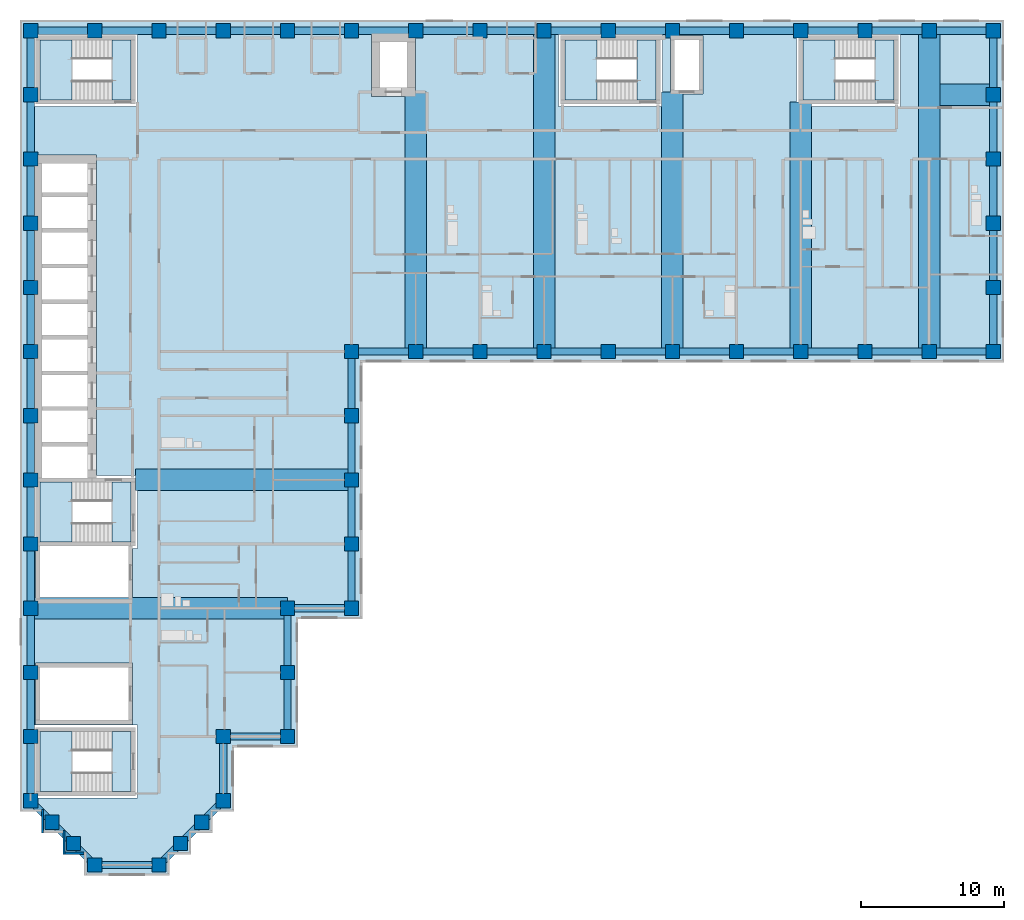
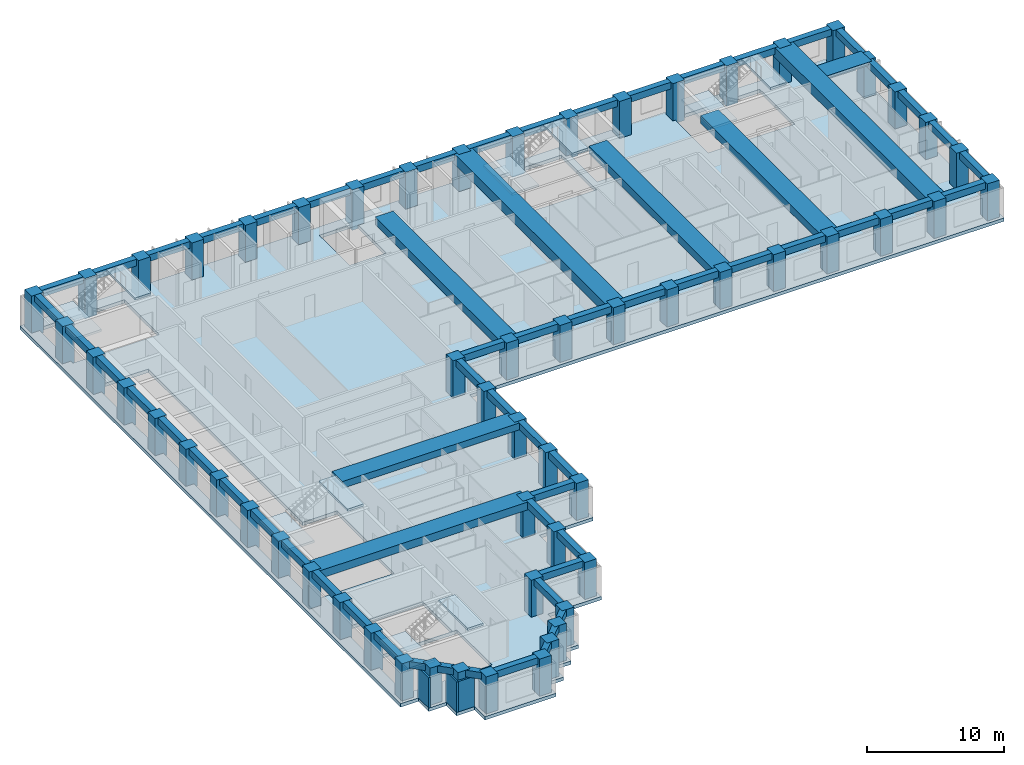
# One storey, part 1 of 12: 66 beams, 58 columns, 11 slabs, 3 walls, 5 elements without a shape of their own.
"""IFC4 building model written with IfcOpenShell, lengths in metres."""

from ifc_helpers import new_model, si_unit, direction, frame, frame_2d, origin, origin_2d, place, context, subcontext, project, spatial, polyline, rectangle, outline, extrude, material, layer, layer_set, material_profile, profile_set, type_object, element, aggregate, save


model = new_model("IFC4")

# Units and contexts
model_context = context("Model", 3, precision=1e-05, world=origin(), true_north=direction((0.0, 1.0)))
body_context = subcontext(model_context, "Body", "Model", "MODEL_VIEW")
ifc_project = project(units=[si_unit("LENGTHUNIT", "METRE"), si_unit("AREAUNIT", "SQUARE_METRE"), si_unit("VOLUMEUNIT", "CUBIC_METRE"), si_unit("PLANEANGLEUNIT", "RADIAN"), si_unit("MASSUNIT", "GRAM", prefix="KILO")], contexts=[model_context])

# Site, building, storey
site_placement = place(None, origin())
site = spatial("IfcSite", under=ifc_project, at=site_placement, CompositionType="ELEMENT")
building_placement = place(site_placement, origin())
building = spatial("IfcBuilding", under=site, at=building_placement, Name="Firuza Court", CompositionType="ELEMENT")
storey_placement = place(building_placement, frame((0.0, 0.0, 123.199951171875)))
storey = spatial("IfcBuildingStorey", under=building, at=storey_placement, Name="L30", CompositionType="ELEMENT", Elevation=123.199951171875)

# Columns
ifc_material_1 = material(Name="Concrete C60/75", Category="concrete")
ifc_material_profile_1 = material_profile(ifc_material_1, rectangle(XDim=1.0, YDim=1.0, at=origin_2d()), Name="RC 1000x1000")
ifc_profile_set_1 = profile_set([ifc_material_profile_1], Name="Concrete C60/75")
column_type = type_object("IfcColumnType", Name="Tube column RC 1000x1000 C60/75", PredefinedType="COLUMN", material=ifc_profile_set_1)
for number, where, z_axis, x_axis, name in (
    (1, (4.5, 0.0, -0.300048828125), (0.0, 0.0, 1.0), (1.0, 0.0, 0.0), "Column C-2D L30"),
    (2, (9.0, 0.0, -0.300048828125), (0.0, 0.0, 1.0), (1.0, 0.0, 0.0), "Column C-3D L30"),
    (3, (3.0, 1.5, -0.300048828125), (0.0, 0.0, 1.0), (1.0, 0.0, 0.0), "Column C-SA1 L30"),
    (4, (10.5, 1.5, -0.300048828125), (0.0, 0.0, 1.0), (1.0, 0.0, 0.0), "Column C-SA2 L30"),
    (5, (1.5, 3.0, -0.300048828125), (0.0, 0.0, 1.0), (1.0, 0.0, 0.0), "Column C-SA3 L30"),
    (6, (12.0, 3.0, -0.300048828125), (0.0, 0.0, 1.0), (1.0, 0.0, 0.0), "Column C-SA4 L30"),
    (7, (0.0, 4.5, -0.300048828125), (0.0, 0.0, 1.0), (1.0, 0.0, 0.0), "Column C-1E L30"),
    (8, (13.5, 4.5, -0.300048828125), (0.0, 0.0, 1.0), (1.0, 0.0, 0.0), "Column C-4E L30"),
    (9, (0.0, 9.0, -0.300048828125), (0.0, 0.0, 1.0), (1.0, 0.0, 0.0), "Column C-1F L30"),
    (10, (13.5, 9.0, -0.300048828125), (0.0, 0.0, 1.0), (1.0, 0.0, 0.0), "Column C-4F L30"),
    (11, (18.0, 9.0, -0.300048828125), (0.0, 0.0, 1.0), (1.0, 0.0, 0.0), "Column C-5F L30"),
    (12, (0.0, 13.5, -0.300048828125), (0.0, 0.0, 1.0), (1.0, 0.0, 0.0), "Column C-1G L30"),
    (13, (18.0, 13.5, -0.300048828125), (0.0, 0.0, 1.0), (1.0, 0.0, 0.0), "Column C-5G L30"),
    (14, (0.0, 18.0, -0.300048828125), (0.0, 0.0, 1.0), (1.0, 0.0, 0.0), "Column C-1H L30"),
    (15, (18.0, 18.0, -0.300048828125), (0.0, 0.0, 1.0), (1.0, 0.0, 0.0), "Column C-5H L30"),
    (16, (22.5, 18.0, -0.300048828125), (0.0, 0.0, 1.0), (1.0, 0.0, 0.0), "Column C-6H L30"),
    (17, (0.0, 22.5, -0.300048828125), (0.0, 0.0, 1.0), (1.0, 0.0, 0.0), "Column C-1J L30"),
    (18, (22.5, 22.5, -0.300048828125), (0.0, 0.0, 1.0), (1.0, 0.0, 0.0), "Column C-6J L30"),
    (19, (0.0, 27.0, -0.300048828125), (0.0, 0.0, 1.0), (1.0, 0.0, 0.0), "Column C-1K L30"),
    (20, (22.5, 27.0, -0.300048828125), (0.0, 0.0, 1.0), (1.0, 0.0, 0.0), "Column C-6K L30"),
    (21, (0.0, 31.5, -0.300048828125), (0.0, 0.0, 1.0), (1.0, 0.0, 0.0), "Column C-1L L30"),
    (22, (22.5, 31.5, -0.300048828125), (0.0, 0.0, 1.0), (1.0, 0.0, 0.0), "Column C-6L L30"),
    (23, (0.0, 36.0, -0.300048828125), (0.0, 0.0, 1.0), (1.0, 0.0, 0.0), "Column C-1M L30"),
    (24, (22.5, 36.0, -0.300048828125), (0.0, 0.0, 1.0), (1.0, 0.0, 0.0), "Column C-6M L30"),
    (25, (27.0, 36.0, -0.300048828125), (0.0, 0.0, 1.0), (1.0, 0.0, 0.0), "Column C-7M L30"),
    (26, (31.5, 36.0, -0.300048828125), (0.0, 0.0, 1.0), (1.0, 0.0, 0.0), "Column C-8M L30"),
    (27, (36.0, 36.0, -0.300048828125), (0.0, 0.0, 1.0), (1.0, 0.0, 0.0), "Column C-9M L30"),
    (28, (40.5, 36.0, -0.300048828125), (0.0, 0.0, 1.0), (1.0, 0.0, 0.0), "Column C-10M L30"),
    (29, (45.0, 36.0, -0.300048828125), (0.0, 0.0, 1.0), (1.0, 0.0, 0.0), "Column C-11M L30"),
    (30, (49.5, 36.0, -0.300048828125), (0.0, 0.0, 1.0), (1.0, 0.0, 0.0), "Column C-12M L30"),
    (31, (54.0, 36.0, -0.300048828125), (0.0, 0.0, 1.0), (1.0, 0.0, 0.0), "Column C-13M L30"),
    (32, (58.5, 36.0, -0.300048828125), (0.0, 0.0, 1.0), (1.0, 0.0, 0.0), "Column C-14M L30"),
    (33, (63.0, 36.0, -0.300048828125), (0.0, 0.0, 1.0), (1.0, 0.0, 0.0), "Column C-15M L30"),
    (34, (67.5, 36.0, -0.300048828125), (0.0, 0.0, 1.0), (1.0, 0.0, 0.0), "Column C-16M L30"),
    (35, (0.0, 40.5, -0.300048828125), (0.0, 0.0, 1.0), (1.0, 0.0, 0.0), "Column C-1N L30"),
    (36, (67.5, 40.5, -0.300048828125), (0.0, 0.0, 1.0), (1.0, 0.0, 0.0), "Column C-16N L30"),
    (37, (0.0, 45.0, -0.300048828125), (0.0, 0.0, 1.0), (1.0, 0.0, 0.0), "Column C-1P L30"),
    (38, (67.5, 45.0, -0.300048828125), (0.0, 0.0, 1.0), (1.0, 0.0, 0.0), "Column C-16P L30"),
    (39, (0.0, 49.5, -0.300048828125), (0.0, 0.0, 1.0), (1.0, 0.0, 0.0), "Column C-1Q L30"),
    (40, (67.5, 49.5, -0.300048828125), (0.0, 0.0, 1.0), (1.0, 0.0, 0.0), "Column C-16Q L30"),
    (41, (0.0, 54.0, -0.300048828125), (0.0, 0.0, 1.0), (1.0, 0.0, 0.0), "Column C-1R L30"),
    (42, (67.5, 54.0, -0.300048828125), (0.0, 0.0, 1.0), (1.0, 0.0, 0.0), "Column C-16R L30"),
    (43, (0.0, 58.5, -0.300048828125), (0.0, 0.0, 1.0), (1.0, 0.0, 0.0), "Column C-1S L30"),
    (44, (4.5, 58.5, -0.300048828125), (0.0, 0.0, 1.0), (1.0, 0.0, 0.0), "Column C-2S L30"),
    (45, (9.0, 58.5, -0.300048828125), (0.0, 0.0, 1.0), (1.0, 0.0, 0.0), "Column C-3S L30"),
    (46, (13.5, 58.5, -0.300048828125), (0.0, 0.0, 1.0), (1.0, 0.0, 0.0), "Column C-4S L30"),
    (47, (18.0, 58.5, -0.300048828125), (0.0, 0.0, 1.0), (1.0, 0.0, 0.0), "Column C-5S L30"),
    (48, (22.5, 58.5, -0.300048828125), (0.0, 0.0, 1.0), (1.0, 0.0, 0.0), "Column C-6S L30"),
    (49, (27.0, 58.5, -0.300048828125), (0.0, 0.0, 1.0), (1.0, 0.0, 0.0), "Column C-7S L30"),
    (50, (31.5, 58.5, -0.300048828125), (0.0, 0.0, 1.0), (1.0, 0.0, 0.0), "Column C-8S L30"),
    (51, (36.0, 58.5, -0.300048828125), (0.0, 0.0, 1.0), (1.0, 0.0, 0.0), "Column C-9S L30"),
    (52, (40.5, 58.5, -0.300048828125), (0.0, 0.0, 1.0), (1.0, 0.0, 0.0), "Column C-10S L30"),
    (53, (45.0, 58.5, -0.300048828125), (0.0, 0.0, 1.0), (1.0, 0.0, 0.0), "Column C-11S L30"),
    (54, (49.5, 58.5, -0.300048828125), (0.0, 0.0, 1.0), (1.0, 0.0, 0.0), "Column C-12S L30"),
    (55, (54.0, 58.5, -0.300048828125), (0.0, 0.0, 1.0), (1.0, 0.0, 0.0), "Column C-13S L30"),
    (56, (58.5, 58.5, -0.300048828125), (0.0, 0.0, 1.0), (1.0, 0.0, 0.0), "Column C-14S L30"),
    (57, (63.0, 58.5, -0.300048828125), (0.0, 0.0, 1.0), (1.0, 0.0, 0.0), "Column C-15S L30"),
    (58, (67.5, 58.5, -0.300048828125), (0.0, 0.0, 1.0), (1.0, 0.0, 0.0), "Column C-16S L30"),
):
    element("IfcColumn", number, at=place(storey_placement, frame(where, z_axis=z_axis, x_axis=x_axis)), inside=storey, type_object=column_type, Name=name, PredefinedType="COLUMN", context=body_context, shape_type="SweptSolid", body=[
        extrude(rectangle(XDim=1.0, YDim=1.0, at=origin_2d()), origin(), (0.0, 0.0, 1.0), 3.60009765625),
    ])

# Beams
ifc_material_2 = material(Name="Concrete C40/50", Category="concrete")
ifc_material_profile_2 = material_profile(ifc_material_2, rectangle(XDim=1.5, YDim=0.300048828125, at=origin_2d()), Name="RC 1500x300")
ifc_profile_set_2 = profile_set([ifc_material_profile_2], Name="Concrete C40/50")
beam_type_1 = type_object("IfcBeamType", Name="Band beam RC 1500x300 C40/50", PredefinedType="BEAM", material=ifc_profile_set_2)
beam_1_placement = place(storey_placement, frame((67.5, 54.0, 3.150146484375), z_axis=(-1.0, 0.0, 0.0), x_axis=(0.0, -1.0, 0.0)))
element("IfcBeam", 59, at=beam_1_placement, inside=storey, type_object=beam_type_1, Name="Band beam FB6 level L31", PredefinedType="BEAM", context=body_context, shape_type="SweptSolid", body=[
    extrude(rectangle(XDim=1.5, YDim=0.300048828125, at=origin_2d()), origin(), (0.0, 0.0, 1.0), 3.75),
])
ifc_material_3 = material(Name="Concrete C40/50", Category="concrete")
ifc_material_profile_3 = material_profile(ifc_material_3, rectangle(XDim=1.5, YDim=0.60009765625, at=origin_2d()), Name="RC 1500x600")
ifc_profile_set_3 = profile_set([ifc_material_profile_3], Name="Concrete C40/50")
beam_type_2 = type_object("IfcBeamType", Name="Band beam RC 1500x600 C40/50", PredefinedType="BEAM", material=ifc_profile_set_3)
beam_2_placement = place(storey_placement, frame((22.5, 27.0, 3.0), z_axis=(-1.0, 0.0, 0.0), x_axis=(0.0, -1.0, 0.0)))
element("IfcBeam", 60, at=beam_2_placement, inside=storey, type_object=beam_type_2, Name="Band beam FB3 level L31", PredefinedType="BEAM", context=body_context, shape_type="SweptSolid", body=[
    extrude(rectangle(XDim=1.5, YDim=0.60009765625, at=origin_2d()), origin(), (0.0, 0.0, 1.0), 15.14990234375),
])
ifc_material_4 = material(Name="Concrete C40/50", Category="concrete")
ifc_material_profile_4 = material_profile(ifc_material_4, rectangle(XDim=1.5, YDim=0.699951171875, at=origin_2d()), Name="RC 1500x700")
ifc_profile_set_4 = profile_set([ifc_material_profile_4], Name="Concrete C40/50")
beam_type_3 = type_object("IfcBeamType", Name="Band beam RC 1500x700 C40/50", PredefinedType="BEAM", material=ifc_profile_set_4)
beam_3_placement = place(storey_placement, frame((0.0, 18.0, 2.949951171875), z_axis=(1.0, 0.0, 0.0), x_axis=(0.0, 1.0, 0.0)))
element("IfcBeam", 61, at=beam_3_placement, inside=storey, type_object=beam_type_3, Name="Band beam FB1 level L31", PredefinedType="BEAM", context=body_context, shape_type="SweptSolid", body=[
    extrude(rectangle(XDim=1.5, YDim=0.699951171875, at=origin_2d()), origin(), (0.0, 0.0, 1.0), 18.0),
])
for number, where, z_axis, x_axis, name in (
    (62, (27.0, 36.0, 2.949951171875), (0.0, 1.0, 0.0), (-1.0, 0.0, 0.0), "Band beam FB1 level L31"),
    (63, (45.0, 36.0, 2.949951171875), (0.0, 1.0, 0.0), (-1.0, 0.0, 0.0), "Band beam FB1 level L31"),
):
    element("IfcBeam", number, at=place(storey_placement, frame(where, z_axis=z_axis, x_axis=x_axis)), inside=storey, type_object=beam_type_3, Name=name, PredefinedType="BEAM", context=body_context, shape_type="SweptSolid", body=[
        extrude(rectangle(XDim=1.5, YDim=0.699951171875, at=origin_2d()), origin(), (0.0, 0.0, 1.0), 18.199951171875),
    ])
beam_4_placement = place(storey_placement, frame((54.0, 36.0, 2.949951171875), z_axis=(0.0, 1.0, 0.0), x_axis=(-1.0, 0.0, 0.0)))
element("IfcBeam", 64, at=beam_4_placement, inside=storey, type_object=beam_type_3, Name="Band beam FB1 level L31", PredefinedType="BEAM", context=body_context, shape_type="SweptSolid", body=[
    extrude(rectangle(XDim=1.5, YDim=0.699951171875, at=origin_2d()), origin(), (0.0, 0.0, 1.0), 17.5),
])
ifc_material_5 = material(Name="Concrete C40/50", Category="concrete")
ifc_material_profile_5 = material_profile(ifc_material_5, rectangle(XDim=1.5, YDim=0.89990234375, at=origin_2d()), Name="RC 1500x900")
ifc_profile_set_5 = profile_set([ifc_material_profile_5], Name="Concrete C40/50")
beam_type_4 = type_object("IfcBeamType", Name="Band beam RC 1500x900 C40/50", PredefinedType="BEAM", material=ifc_profile_set_5)
for number, where, z_axis, x_axis, name in (
    (65, (36.0, 36.0, 2.85009765625), (0.0, 1.0, 0.0), (-1.0, 0.0, 0.0), "Band beam FB2 level L31"),
    (66, (63.0, 36.0, 2.85009765625), (0.0, 1.0, 0.0), (-1.0, 0.0, 0.0), "Band beam FB2 level L31"),
):
    element("IfcBeam", number, at=place(storey_placement, frame(where, z_axis=z_axis, x_axis=x_axis)), inside=storey, type_object=beam_type_4, Name=name, PredefinedType="BEAM", context=body_context, shape_type="SweptSolid", body=[
        extrude(rectangle(XDim=1.5, YDim=0.89990234375, at=origin_2d()), origin(), (0.0, 0.0, 1.0), 22.5),
    ])
ifc_material_6 = material(Name="Concrete C40/50", Category="concrete")
ifc_material_profile_6 = material_profile(ifc_material_6, rectangle(XDim=0.5, YDim=0.60009765625, at=origin_2d()), Name="RC 500x600")
ifc_profile_set_6 = profile_set([ifc_material_profile_6], Name="Concrete C40/50")
beam_type_5 = type_object("IfcBeamType", Name="Spandrel beam RC 500x600 C40/50", PredefinedType="BEAM", material=ifc_profile_set_6)
beam_5_placement = place(storey_placement, frame((0.0, 4.5, 3.0), z_axis=(0.707106781187, -0.707106781187, 0.0), x_axis=(0.707106781187, 0.707106781187, 0.0)))
element("IfcBeam", 67, at=beam_5_placement, inside=storey, type_object=beam_type_5, Name="Spandrel beam SP13 level L31", PredefinedType="BEAM", context=body_context, shape_type="SweptSolid", body=[
    extrude(rectangle(XDim=0.5, YDim=0.60009765625, at=origin_2d()), origin(), (0.0, 0.0, 1.0), 2.121337890625),
])
for number, where, z_axis, x_axis, name in (
    (68, (0.0, 9.0, 3.0), (0.0, -1.0, 0.0), (1.0, 0.0, 0.0), "Spandrel beam SP13 level L31"),
    (69, (0.0, 13.5, 3.0), (0.0, -1.0, 0.0), (1.0, 0.0, 0.0), "Spandrel beam SP13 level L31"),
    (70, (0.0, 18.0, 3.0), (0.0, -1.0, 0.0), (1.0, 0.0, 0.0), "Spandrel beam SP13 level L31"),
    (71, (0.0, 22.5, 3.0), (0.0, -1.0, 0.0), (1.0, 0.0, 0.0), "Spandrel beam SP13 level L31"),
    (72, (0.0, 27.0, 3.0), (0.0, -1.0, 0.0), (1.0, 0.0, 0.0), "Spandrel beam SP13 level L31"),
    (73, (0.0, 31.5, 3.0), (0.0, -1.0, 0.0), (1.0, 0.0, 0.0), "Spandrel beam SP13 level L31"),
    (74, (0.0, 36.0, 3.0), (0.0, -1.0, 0.0), (1.0, 0.0, 0.0), "Spandrel beam SP13 level L31"),
    (75, (0.0, 40.5, 3.0), (0.0, -1.0, 0.0), (1.0, 0.0, 0.0), "Spandrel beam SP13 level L31"),
    (76, (0.0, 45.0, 3.0), (0.0, -1.0, 0.0), (1.0, 0.0, 0.0), "Spandrel beam SP13 level L31"),
    (77, (0.0, 49.5, 3.0), (0.0, -1.0, 0.0), (1.0, 0.0, 0.0), "Spandrel beam SP13 level L31"),
    (78, (0.0, 54.0, 3.0), (0.0, -1.0, 0.0), (1.0, 0.0, 0.0), "Spandrel beam SP13 level L31"),
    (79, (0.0, 58.5, 3.0), (0.0, -1.0, 0.0), (1.0, 0.0, 0.0), "Spandrel beam SP13 level L31"),
):
    element("IfcBeam", number, at=place(storey_placement, frame(where, z_axis=z_axis, x_axis=x_axis)), inside=storey, type_object=beam_type_5, Name=name, PredefinedType="BEAM", context=body_context, shape_type="SweptSolid", body=[
        extrude(rectangle(XDim=0.5, YDim=0.60009765625, at=origin_2d()), origin(), (0.0, 0.0, 1.0), 4.5),
    ])
for number, where, z_axis, x_axis, name in (
    (80, (1.5, 3.0, 3.0), (0.707106781187, -0.707106781187, 0.0), (0.707106781187, 0.707106781187, 0.0), "Spandrel beam SP13 level L31"),
    (81, (3.0, 1.5, 3.0), (0.707106781187, -0.707106781187, 0.0), (0.707106781187, 0.707106781187, 0.0), "Spandrel beam SP13 level L31"),
):
    element("IfcBeam", number, at=place(storey_placement, frame(where, z_axis=z_axis, x_axis=x_axis)), inside=storey, type_object=beam_type_5, Name=name, PredefinedType="BEAM", context=body_context, shape_type="SweptSolid", body=[
        extrude(rectangle(XDim=0.5, YDim=0.60009765625, at=origin_2d()), origin(), (0.0, 0.0, 1.0), 2.121337890625),
    ])
for number, where, z_axis, x_axis, name in (
    (82, (4.5, 0.0, 3.0), (1.0, 0.0, 0.0), (0.0, 1.0, 0.0), "Spandrel beam SP13 level L31"),
    (83, (4.5, 58.5, 3.0), (-1.0, 0.0, 0.0), (0.0, -1.0, 0.0), "Spandrel beam SP13 level L31"),
):
    element("IfcBeam", number, at=place(storey_placement, frame(where, z_axis=z_axis, x_axis=x_axis)), inside=storey, type_object=beam_type_5, Name=name, PredefinedType="BEAM", context=body_context, shape_type="SweptSolid", body=[
        extrude(rectangle(XDim=0.5, YDim=0.60009765625, at=origin_2d()), origin(), (0.0, 0.0, 1.0), 4.5),
    ])
beam_6_placement = place(storey_placement, frame((9.0, 0.0, 3.0), z_axis=(0.707106781187, 0.707106781187, 0.0), x_axis=(-0.707106781187, 0.707106781187, 0.0)))
element("IfcBeam", 84, at=beam_6_placement, inside=storey, type_object=beam_type_5, Name="Spandrel beam SP13 level L31", PredefinedType="BEAM", context=body_context, shape_type="SweptSolid", body=[
    extrude(rectangle(XDim=0.5, YDim=0.60009765625, at=origin_2d()), origin(), (0.0, 0.0, 1.0), 2.121337890625),
])
beam_7_placement = place(storey_placement, frame((9.0, 58.5, 3.0), z_axis=(-1.0, 0.0, 0.0), x_axis=(0.0, -1.0, 0.0)))
element("IfcBeam", 85, at=beam_7_placement, inside=storey, type_object=beam_type_5, Name="Spandrel beam SP13 level L31", PredefinedType="BEAM", context=body_context, shape_type="SweptSolid", body=[
    extrude(rectangle(XDim=0.5, YDim=0.60009765625, at=origin_2d()), origin(), (0.0, 0.0, 1.0), 4.5),
])
for number, where, z_axis, x_axis, name in (
    (86, (10.5, 1.5, 3.0), (0.707106781187, 0.707106781187, 0.0), (-0.707106781187, 0.707106781187, 0.0), "Spandrel beam SP13 level L31"),
    (87, (12.0, 3.0, 3.0), (0.707106781187, 0.707106781187, 0.0), (-0.707106781187, 0.707106781187, 0.0), "Spandrel beam SP13 level L31"),
):
    element("IfcBeam", number, at=place(storey_placement, frame(where, z_axis=z_axis, x_axis=x_axis)), inside=storey, type_object=beam_type_5, Name=name, PredefinedType="BEAM", context=body_context, shape_type="SweptSolid", body=[
        extrude(rectangle(XDim=0.5, YDim=0.60009765625, at=origin_2d()), origin(), (0.0, 0.0, 1.0), 2.121337890625),
    ])
for number, where, z_axis, x_axis, name in (
    (88, (13.5, 4.5, 3.0), (0.0, 1.0, 0.0), (-1.0, 0.0, 0.0), "Spandrel beam SP13 level L31"),
    (89, (13.5, 9.0, 3.0), (1.0, 0.0, 0.0), (0.0, 1.0, 0.0), "Spandrel beam SP13 level L31"),
    (90, (13.5, 58.5, 3.0), (-1.0, 0.0, 0.0), (0.0, -1.0, 0.0), "Spandrel beam SP13 level L31"),
    (91, (18.0, 9.0, 3.0), (0.0, 1.0, 0.0), (-1.0, 0.0, 0.0), "Spandrel beam SP13 level L31"),
    (92, (18.0, 13.5, 3.0), (0.0, 1.0, 0.0), (-1.0, 0.0, 0.0), "Spandrel beam SP13 level L31"),
    (93, (18.0, 18.0, 3.0), (1.0, 0.0, 0.0), (0.0, 1.0, 0.0), "Spandrel beam SP13 level L31"),
    (94, (18.0, 58.5, 3.0), (-1.0, 0.0, 0.0), (0.0, -1.0, 0.0), "Spandrel beam SP13 level L31"),
    (95, (22.5, 18.0, 3.0), (0.0, 1.0, 0.0), (-1.0, 0.0, 0.0), "Spandrel beam SP13 level L31"),
    (96, (22.5, 22.5, 3.0), (0.0, 1.0, 0.0), (-1.0, 0.0, 0.0), "Spandrel beam SP13 level L31"),
    (97, (22.5, 27.0, 3.0), (0.0, 1.0, 0.0), (-1.0, 0.0, 0.0), "Spandrel beam SP13 level L31"),
    (98, (22.5, 31.5, 3.0), (0.0, 1.0, 0.0), (-1.0, 0.0, 0.0), "Spandrel beam SP13 level L31"),
    (99, (22.5, 36.0, 3.0), (1.0, 0.0, 0.0), (0.0, 1.0, 0.0), "Spandrel beam SP13 level L31"),
    (100, (22.5, 58.5, 3.0), (-1.0, 0.0, 0.0), (0.0, -1.0, 0.0), "Spandrel beam SP13 level L31"),
    (101, (27.0, 36.0, 3.0), (1.0, 0.0, 0.0), (0.0, 1.0, 0.0), "Spandrel beam SP13 level L31"),
    (102, (27.0, 58.5, 3.0), (-1.0, 0.0, 0.0), (0.0, -1.0, 0.0), "Spandrel beam SP13 level L31"),
    (103, (31.5, 36.0, 3.0), (1.0, 0.0, 0.0), (0.0, 1.0, 0.0), "Spandrel beam SP13 level L31"),
    (104, (31.5, 58.5, 3.0), (-1.0, 0.0, 0.0), (0.0, -1.0, 0.0), "Spandrel beam SP13 level L31"),
    (105, (36.0, 36.0, 3.0), (1.0, 0.0, 0.0), (0.0, 1.0, 0.0), "Spandrel beam SP13 level L31"),
    (106, (36.0, 58.5, 3.0), (-1.0, 0.0, 0.0), (0.0, -1.0, 0.0), "Spandrel beam SP13 level L31"),
    (107, (40.5, 36.0, 3.0), (1.0, 0.0, 0.0), (0.0, 1.0, 0.0), "Spandrel beam SP13 level L31"),
    (108, (40.5, 58.5, 3.0), (-1.0, 0.0, 0.0), (0.0, -1.0, 0.0), "Spandrel beam SP13 level L31"),
    (109, (45.0, 36.0, 3.0), (1.0, 0.0, 0.0), (0.0, 1.0, 0.0), "Spandrel beam SP13 level L31"),
    (110, (45.0, 58.5, 3.0), (-1.0, 0.0, 0.0), (0.0, -1.0, 0.0), "Spandrel beam SP13 level L31"),
    (111, (49.5, 36.0, 3.0), (1.0, 0.0, 0.0), (0.0, 1.0, 0.0), "Spandrel beam SP13 level L31"),
    (112, (49.5, 58.5, 3.0), (-1.0, 0.0, 0.0), (0.0, -1.0, 0.0), "Spandrel beam SP13 level L31"),
    (113, (54.0, 36.0, 3.0), (1.0, 0.0, 0.0), (0.0, 1.0, 0.0), "Spandrel beam SP13 level L31"),
    (114, (54.0, 58.5, 3.0), (-1.0, 0.0, 0.0), (0.0, -1.0, 0.0), "Spandrel beam SP13 level L31"),
    (115, (58.5, 36.0, 3.0), (1.0, 0.0, 0.0), (0.0, 1.0, 0.0), "Spandrel beam SP13 level L31"),
    (116, (58.5, 58.5, 3.0), (-1.0, 0.0, 0.0), (0.0, -1.0, 0.0), "Spandrel beam SP13 level L31"),
    (117, (63.0, 36.0, 3.0), (1.0, 0.0, 0.0), (0.0, 1.0, 0.0), "Spandrel beam SP13 level L31"),
    (118, (63.0, 58.5, 3.0), (-1.0, 0.0, 0.0), (0.0, -1.0, 0.0), "Spandrel beam SP13 level L31"),
    (119, (67.5, 36.0, 3.0), (0.0, 1.0, 0.0), (-1.0, 0.0, 0.0), "Spandrel beam SP13 level L31"),
    (120, (67.5, 40.5, 3.0), (0.0, 1.0, 0.0), (-1.0, 0.0, 0.0), "Spandrel beam SP13 level L31"),
    (121, (67.5, 45.0, 3.0), (0.0, 1.0, 0.0), (-1.0, 0.0, 0.0), "Spandrel beam SP13 level L31"),
    (122, (67.5, 49.5, 3.0), (0.0, 1.0, 0.0), (-1.0, 0.0, 0.0), "Spandrel beam SP13 level L31"),
    (123, (67.5, 54.0, 3.0), (0.0, 1.0, 0.0), (-1.0, 0.0, 0.0), "Spandrel beam SP13 level L31"),
    (124, (67.5, 58.5, 3.0), (-1.0, 0.0, 0.0), (0.0, -1.0, 0.0), "Spandrel beam SP13 level L31"),
):
    element("IfcBeam", number, at=place(storey_placement, frame(where, z_axis=z_axis, x_axis=x_axis)), inside=storey, type_object=beam_type_5, Name=name, PredefinedType="BEAM", context=body_context, shape_type="SweptSolid", body=[
        extrude(rectangle(XDim=0.5, YDim=0.60009765625, at=origin_2d()), origin(), (0.0, 0.0, 1.0), 4.5),
    ])

# Slab
ifc_material_7 = material(Name="Concrete C40/50", Category="concrete")
ifc_layer_1 = layer(ifc_material_7, 0.300048828125)
ifc_layer_set_1 = layer_set([ifc_layer_1], Name="Concrete C40/50")
slab_type_1 = type_object("IfcSlabType", Name="Floor slab 300 C40/50", PredefinedType="FLOOR", material=ifc_layer_set_1)
slab_1_placement = place(storey_placement, frame((0.0, 0.0, -0.300048828125)))
element("IfcSlab", 125, at=slab_1_placement, inside=storey, type_object=slab_type_1, Name="Floor slab L30", PredefinedType="FLOOR", context=body_context, shape_type="SweptSolid", body=[
    extrude(outline(polyline([(3.75, -0.75), (3.75, 0.75), (2.25, 0.75), (2.25, 2.25), (0.75, 2.25), (0.75, 3.75), (-0.75, 3.75), (-0.75, 59.25), (68.25, 59.25), (68.25, 35.25), (23.25, 35.25), (23.25, 17.25), (18.75, 17.25), (18.75, 8.25), (14.25, 8.25), (14.25, 3.75), (12.75, 3.75), (12.75, 2.25), (11.25, 2.25), (11.25, 0.75), (9.75, 0.75), (9.75, -0.75), (3.75, -0.75)]), holes=[polyline([(0.199951171875, 29.800048828125), (0.199951171875, 29.199951171875), (0.199951171875, 27.300048828125), (0.199951171875, 26.699951171875), (0.199951171875, 22.199951171875), (0.35009765625, 22.199951171875), (0.35009765625, 18.35009765625), (7.14990234375, 18.35009765625), (7.14990234375, 22.199951171875), (7.5, 22.199951171875), (7.5, 27.300048828125), (4.60009765625, 27.300048828125), (4.60009765625, 29.199951171875), (4.60009765625, 29.800048828125), (4.60009765625, 31.699951171875), (4.60009765625, 32.300048828125), (4.60009765625, 34.199951171875), (4.60009765625, 34.800048828125), (4.60009765625, 36.699951171875), (4.60009765625, 37.300048828125), (4.60009765625, 39.199951171875), (4.60009765625, 39.800048828125), (4.60009765625, 41.699951171875), (4.60009765625, 42.300048828125), (4.60009765625, 44.199951171875), (4.60009765625, 44.800048828125), (4.60009765625, 46.699951171875), (4.60009765625, 47.300048828125), (4.60009765625, 49.800048828125), (0.199951171875, 49.800048828125), (0.199951171875, 47.300048828125), (0.199951171875, 46.699951171875), (0.199951171875, 44.800048828125), (0.199951171875, 44.199951171875), (0.199951171875, 42.300048828125), (0.199951171875, 41.699951171875), (0.199951171875, 39.800048828125), (0.199951171875, 39.199951171875), (0.199951171875, 37.300048828125), (0.199951171875, 36.699951171875), (0.199951171875, 34.800048828125), (0.199951171875, 34.199951171875), (0.199951171875, 32.300048828125), (0.199951171875, 31.699951171875), (0.199951171875, 29.800048828125)]), polyline([(7.5, 9.800048828125), (0.199951171875, 9.800048828125), (0.199951171875, 4.699951171875), (7.5, 4.699951171875), (7.5, 9.800048828125)]), polyline([(7.14990234375, 14.14990234375), (0.35009765625, 14.14990234375), (0.35009765625, 9.85009765625), (7.14990234375, 9.85009765625), (7.14990234375, 14.14990234375)]), polyline([(7.5, 58.300048828125), (0.199951171875, 58.300048828125), (0.199951171875, 53.199951171875), (7.5, 53.199951171875), (7.5, 58.300048828125)]), polyline([(44.300048828125, 58.300048828125), (37.0, 58.300048828125), (37.0, 53.199951171875), (44.300048828125, 53.199951171875), (44.300048828125, 58.300048828125)]), polyline([(61.0, 58.300048828125), (53.699951171875, 58.300048828125), (53.699951171875, 53.199951171875), (61.0, 53.199951171875), (61.0, 58.300048828125)]), polyline([(27.0, 53.89990234375), (27.0, 58.300048828125), (23.89990234375, 58.300048828125), (23.89990234375, 53.89990234375), (27.0, 53.89990234375)]), polyline([(47.14990234375, 54.050048828125), (47.14990234375, 58.14990234375), (44.85009765625, 58.14990234375), (44.85009765625, 54.050048828125), (47.14990234375, 54.050048828125)])]), origin(), (0.0, 0.0, 1.0), 0.300048828125),
])

# Stair, slabs
ifc_material_8 = material(Name="Concrete C40/50 precast", Category="concrete")
stair_type = type_object("IfcStairType", Name="Stair 1350 x 3600 2 flights", PredefinedType="HALF_TURN_STAIR", material=ifc_material_8)
stair_1_placement = place(storey_placement, origin())
stair_1 = element("IfcStair", 126, at=stair_1_placement, inside=storey, type_object=stair_type, Name="Stair 1 L30", PredefinedType="HALF_TURN_STAIR")
ifc_material_9 = material(Name="Concrete C40/50 precast", Category="concrete")
ifc_layer_2 = layer(ifc_material_9, 0.199951171875)
ifc_layer_set_2 = layer_set([ifc_layer_2], Name="Concrete C40/50 precast")
slab_type_2 = type_object("IfcSlabType", Name="Stair landing 200", PredefinedType="LANDING", material=ifc_layer_set_2)
slab_2_placement = place(storey_placement, frame((0.0, 0.0, 1.60009765625)))
slab_2 = element("IfcSlab", 127, at=slab_2_placement, type_object=slab_type_2, Name="S1 landing 1", PredefinedType="LANDING", context=body_context, shape_type="SweptSolid", body=[
    extrude(outline(polyline([(39.699951171875, 53.64990234375), (39.699951171875, 57.85009765625), (37.449951171875, 57.85009765625), (37.449951171875, 53.64990234375), (39.699951171875, 53.64990234375)])), origin(), (0.0, 0.0, 1.0), 0.199951171875),
])
slab_3_placement = place(storey_placement, frame((0.0, 0.0, 3.400146484375)))
slab_3 = element("IfcSlab", 128, at=slab_3_placement, type_object=slab_type_2, Name="S1 landing 2", PredefinedType="LANDING", context=body_context, shape_type="SweptSolid", body=[
    extrude(outline(polyline([(43.85009765625, 53.64990234375), (43.85009765625, 57.85009765625), (42.5, 57.85009765625), (42.5, 53.64990234375), (43.85009765625, 53.64990234375)])), origin(), (0.0, 0.0, 1.0), 0.199951171875),
])
aggregate(stair_1, [slab_2, slab_3])

stair_2_placement = place(storey_placement, origin())
stair_2 = element("IfcStair", 129, at=stair_2_placement, inside=storey, type_object=stair_type, Name="Stair 2 L30", PredefinedType="HALF_TURN_STAIR")
slab_4_placement = place(storey_placement, frame((0.0, 0.0, 1.60009765625)))
slab_4 = element("IfcSlab", 130, at=slab_4_placement, type_object=slab_type_2, Name="S2 landing 1", PredefinedType="LANDING", context=body_context, shape_type="SweptSolid", body=[
    extrude(outline(polyline([(2.89990234375, 22.64990234375), (2.89990234375, 26.85009765625), (0.64990234375, 26.85009765625), (0.64990234375, 22.64990234375), (2.89990234375, 22.64990234375)])), origin(), (0.0, 0.0, 1.0), 0.199951171875),
])
slab_5_placement = place(storey_placement, frame((0.0, 0.0, 3.400146484375)))
slab_5 = element("IfcSlab", 131, at=slab_5_placement, type_object=slab_type_2, Name="S2 landing 2", PredefinedType="LANDING", context=body_context, shape_type="SweptSolid", body=[
    extrude(outline(polyline([(7.050048828125, 22.64990234375), (7.050048828125, 26.85009765625), (5.699951171875, 26.85009765625), (5.699951171875, 22.64990234375), (7.050048828125, 22.64990234375)])), origin(), (0.0, 0.0, 1.0), 0.199951171875),
])
aggregate(stair_2, [slab_4, slab_5])

stair_3_placement = place(storey_placement, origin())
stair_3 = element("IfcStair", 132, at=stair_3_placement, inside=storey, type_object=stair_type, Name="Stair 3 L30", PredefinedType="HALF_TURN_STAIR")
slab_6_placement = place(storey_placement, frame((0.0, 0.0, 1.60009765625)))
slab_6 = element("IfcSlab", 133, at=slab_6_placement, type_object=slab_type_2, Name="S3 landing 1", PredefinedType="LANDING", context=body_context, shape_type="SweptSolid", body=[
    extrude(outline(polyline([(2.89990234375, 53.64990234375), (2.89990234375, 57.85009765625), (0.64990234375, 57.85009765625), (0.64990234375, 53.64990234375), (2.89990234375, 53.64990234375)])), origin(), (0.0, 0.0, 1.0), 0.199951171875),
])
slab_7_placement = place(storey_placement, frame((0.0, 0.0, 3.400146484375)))
slab_7 = element("IfcSlab", 134, at=slab_7_placement, type_object=slab_type_2, Name="S3 landing 2", PredefinedType="LANDING", context=body_context, shape_type="SweptSolid", body=[
    extrude(outline(polyline([(7.050048828125, 53.64990234375), (7.050048828125, 57.85009765625), (5.699951171875, 57.85009765625), (5.699951171875, 53.64990234375), (7.050048828125, 53.64990234375)])), origin(), (0.0, 0.0, 1.0), 0.199951171875),
])
aggregate(stair_3, [slab_6, slab_7])

stair_4_placement = place(storey_placement, origin())
stair_4 = element("IfcStair", 135, at=stair_4_placement, inside=storey, type_object=stair_type, Name="Stair 4 L30", PredefinedType="HALF_TURN_STAIR")
slab_8_placement = place(storey_placement, frame((0.0, 0.0, 1.60009765625)))
slab_8 = element("IfcSlab", 136, at=slab_8_placement, type_object=slab_type_2, Name="S4 landing 1", PredefinedType="LANDING", context=body_context, shape_type="SweptSolid", body=[
    extrude(outline(polyline([(56.39990234375, 53.64990234375), (56.39990234375, 57.85009765625), (54.14990234375, 57.85009765625), (54.14990234375, 53.64990234375), (56.39990234375, 53.64990234375)])), origin(), (0.0, 0.0, 1.0), 0.199951171875),
])
slab_9_placement = place(storey_placement, frame((0.0, 0.0, 3.400146484375)))
slab_9 = element("IfcSlab", 137, at=slab_9_placement, type_object=slab_type_2, Name="S4 landing 2", PredefinedType="LANDING", context=body_context, shape_type="SweptSolid", body=[
    extrude(outline(polyline([(60.550048828125, 53.64990234375), (60.550048828125, 57.85009765625), (59.199951171875, 57.85009765625), (59.199951171875, 53.64990234375), (60.550048828125, 53.64990234375)])), origin(), (0.0, 0.0, 1.0), 0.199951171875),
])
aggregate(stair_4, [slab_8, slab_9])

stair_5_placement = place(storey_placement, origin())
stair_5 = element("IfcStair", 138, at=stair_5_placement, inside=storey, type_object=stair_type, Name="Stair 5 L30", PredefinedType="HALF_TURN_STAIR")
slab_10_placement = place(storey_placement, frame((0.0, 0.0, 1.60009765625)))
slab_10 = element("IfcSlab", 139, at=slab_10_placement, type_object=slab_type_2, Name="S5 landing 1", PredefinedType="LANDING", context=body_context, shape_type="SweptSolid", body=[
    extrude(outline(polyline([(2.89990234375, 5.14990234375), (2.89990234375, 9.35009765625), (0.64990234375, 9.35009765625), (0.64990234375, 5.14990234375), (2.89990234375, 5.14990234375)])), origin(), (0.0, 0.0, 1.0), 0.199951171875),
])
slab_11_placement = place(storey_placement, frame((0.0, 0.0, 3.400146484375)))
slab_11 = element("IfcSlab", 140, at=slab_11_placement, type_object=slab_type_2, Name="S5 landing 2", PredefinedType="LANDING", context=body_context, shape_type="SweptSolid", body=[
    extrude(outline(polyline([(7.050048828125, 5.14990234375), (7.050048828125, 9.35009765625), (5.699951171875, 9.35009765625), (5.699951171875, 5.14990234375), (7.050048828125, 5.14990234375)])), origin(), (0.0, 0.0, 1.0), 0.199951171875),
])
aggregate(stair_5, [slab_10, slab_11])

# Walls
ifc_material_10 = material(Name="Ceramic tile", Category="ceramic")
ifc_layer_3 = layer(ifc_material_10, 0.02001953125)
ifc_material_11 = material(Name="Mineral wool insulation", Category="insulation")
ifc_layer_4 = layer(ifc_material_11, 0.050048828125)
ifc_layer_5 = layer(ifc_material_9, 0.080078125)
ifc_layer_set_3 = layer_set([ifc_layer_3, ifc_layer_4, ifc_layer_5], Name="Concrete C40/50 precast")
wall_type = type_object("IfcWallType", Name="Precast cladding wall with turquoise TILE PANEL face 150", PredefinedType="STANDARD", material=ifc_layer_set_3)
for number, where, z_axis, x_axis, name in (
    (141, (0.824951171875, 3.89990234375, 0.0), (0.0, 0.0, 1.0), (0.0, -1.0, 0.0), "Facade wall L30 W"),
    (142, (2.324951171875, 2.39990234375, 0.0), (0.0, 0.0, 1.0), (0.0, -1.0, 0.0), "Facade wall L30 W"),
):
    element("IfcWall", number, at=place(storey_placement, frame(where, z_axis=z_axis, x_axis=x_axis)), inside=storey, type_object=wall_type, Name=name, PredefinedType="STANDARD", context=body_context, shape_type="SweptSolid", body=[
        extrude(rectangle(XDim=1.64990234375, YDim=0.14990234375, at=frame_2d((0.824951171875, 0.0))), origin(), (0.0, 0.0, 1.0), 2.699951171875),
    ])
wall_placement = place(storey_placement, frame((2.39990234375, 0.824951171875, 0.0), z_axis=(0.0, 0.0, 1.0), x_axis=(1.0, 0.0, 0.0)))
element("IfcWall", 143, at=wall_placement, inside=storey, type_object=wall_type, Name="Facade wall L30 S", PredefinedType="STANDARD", context=body_context, shape_type="SweptSolid", body=[
    extrude(rectangle(XDim=1.35009765625, YDim=0.14990234375, at=frame_2d((0.675048828125, 0.0))), origin(), (0.0, 0.0, 1.0), 2.699951171875),
])

save(model, "model.ifc")
